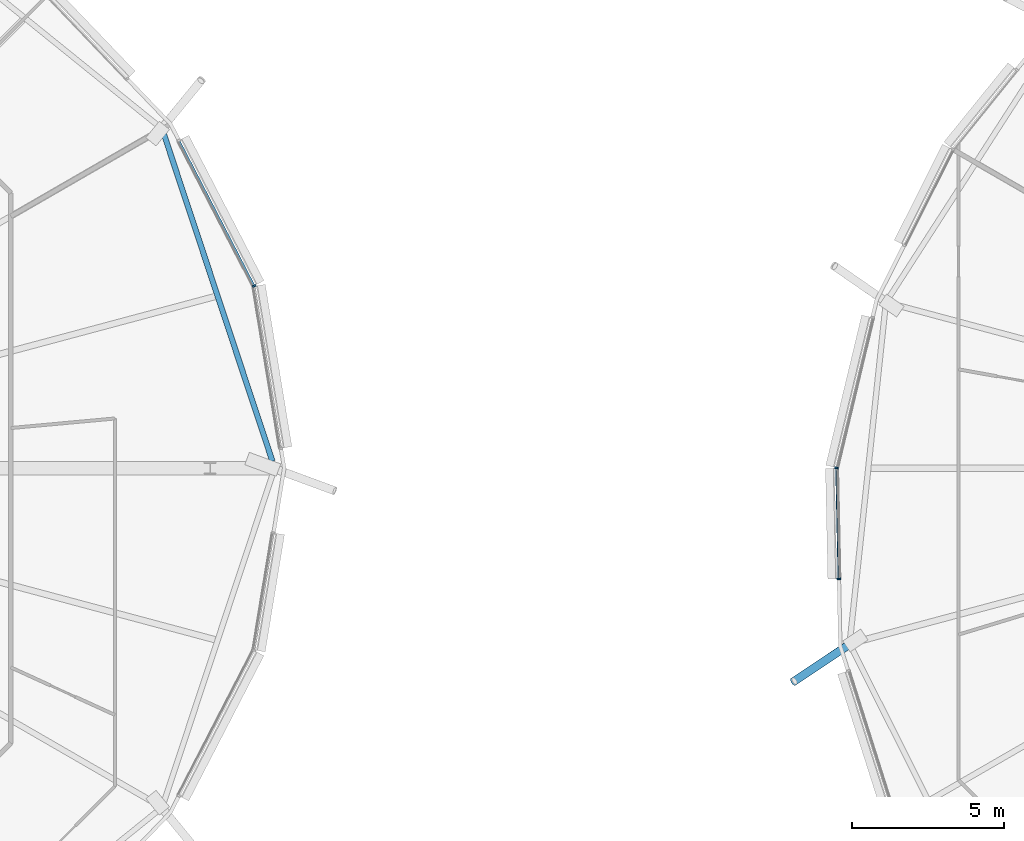
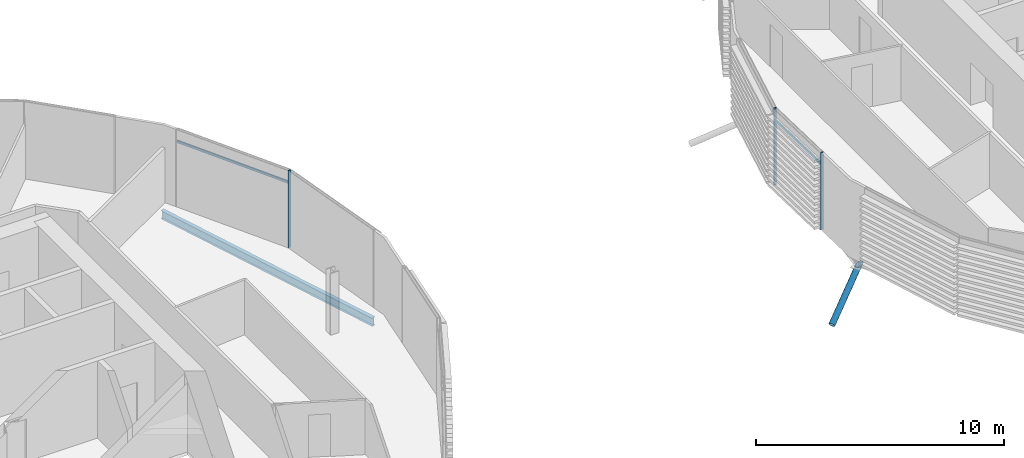
# One storey, part 8 of 38: 6 members, 1 beam, 2 elements without a shape of their own.
"""IFC4 building model written with IfcOpenShell, lengths in metres."""

import ifcopenshell
import ifcopenshell.guid

model = None  # the IFC model being written
_history = None  # IfcOwnerHistory: only IFC2X3 demands one
_inside = {}  # id of a spatial element -> (the spatial element, [elements in it])
_under = {}  # id of a project, library or spatial element -> (it, [spatial elements below it])
_declared = {}  # id of a project -> (the project, [libraries it declares])
_typed = {}  # id of a type object -> (the type object, [elements of that type])
_made_of = {}  # id of a material, layer set ... -> (it, [elements and type objects made of it])


def new_model(schema):
    """Start an empty IFC model of exactly this schema.

    Asked for "IFC4X3", IfcOpenShell would pick the latest addendum, in which some entities
    have other attributes; the version numbers below select the first issue.
    IFC2X3 requires an IfcOwnerHistory on every rooted entity: one is made here for all.
    """
    global model, _history
    if schema == "IFC4X3":
        model = ifcopenshell.file(schema_version=(4, 3, 0, 0))
    else:
        model = ifcopenshell.file(schema=schema)
    _inside.clear()
    _under.clear()
    _declared.clear()
    _typed.clear()
    _made_of.clear()
    _history = None
    if model.schema == "IFC2X3":
        org = make("IfcOrganization", Name="unknown")
        user = make(
            "IfcPersonAndOrganization",
            ThePerson=make("IfcPerson", FamilyName="unknown"),
            TheOrganization=org,
        )
        app = make(
            "IfcApplication",
            ApplicationDeveloper=org,
            Version="unknown",
            ApplicationFullName="unknown",
            ApplicationIdentifier="unknown",
        )
        _history = make(
            "IfcOwnerHistory",
            OwningUser=user,
            OwningApplication=app,
            ChangeAction="ADDED",
            CreationDate=0,
        )
    return model


def make(cls, **values):
    """One entity of the class cls with the attributes given. An attribute that is None is left unset."""
    return model.create_entity(
        cls, **{name: value for name, value in values.items() if value is not None}
    )


def rooted(cls, **values):
    """An entity with a GlobalId (a new one), such as an element, a storey or a relation."""
    return make(cls, GlobalId=ifcopenshell.guid.new(), OwnerHistory=_history, **values)


def si_unit(unit_type, name, prefix=None):
    """IfcSIUnit, for example si_unit("LENGTHUNIT", "METRE", prefix="MILLI")."""
    return make("IfcSIUnit", UnitType=unit_type, Prefix=prefix, Name=name)


def assignment(units):
    """IfcUnitAssignment: the units of a project."""
    return None if units is None else make("IfcUnitAssignment", Units=units)


def point(xyz):
    """IfcCartesianPoint."""
    return None if xyz is None else make("IfcCartesianPoint", Coordinates=xyz)


def direction(xyz):
    """IfcDirection."""
    return None if xyz is None else make("IfcDirection", DirectionRatios=xyz)


def frame(location, z_axis=None, x_axis=None):
    """IfcAxis2Placement3D, a coordinate frame: its origin and axes. An axis left out is left unset."""
    return make(
        "IfcAxis2Placement3D",
        Location=point(location),
        Axis=direction(z_axis),
        RefDirection=direction(x_axis),
    )


def frame_2d(location, x_axis=None):
    """IfcAxis2Placement2D, a coordinate frame in the plane: its origin and x axis."""
    return make(
        "IfcAxis2Placement2D", Location=point(location), RefDirection=direction(x_axis)
    )


def origin():
    """The frame at (0, 0, 0) with its axes left unset."""
    return frame((0.0, 0.0, 0.0))


def origin_2d():
    """The frame at (0, 0) in the plane with its x axis left unset."""
    return frame_2d((0.0, 0.0))


def place(relative_to, where):
    """IfcLocalPlacement: puts the frame where relative to a parent placement (None: the world)."""
    return make(
        "IfcLocalPlacement", PlacementRelTo=relative_to, RelativePlacement=where
    )


def context(
    kind, dimensions, precision=None, world=None, true_north=None, identifier=None
):
    """IfcGeometricRepresentationContext, for example the 3D "Model" context."""
    return make(
        "IfcGeometricRepresentationContext",
        ContextIdentifier=identifier,
        ContextType=kind,
        CoordinateSpaceDimension=dimensions,
        Precision=precision,
        WorldCoordinateSystem=world,
        TrueNorth=true_north,
    )


def subcontext(parent, identifier, kind, view, scale=None):
    """IfcGeometricRepresentationSubContext, for example "Body" below "Model"."""
    return make(
        "IfcGeometricRepresentationSubContext",
        ContextIdentifier=identifier,
        ContextType=kind,
        ParentContext=parent,
        TargetScale=scale,
        TargetView=view,
    )


def project(units=None, contexts=None):
    """IfcProject with its units and contexts."""
    return rooted(
        "IfcProject",
        Name="project",
        RepresentationContexts=contexts,
        UnitsInContext=assignment(units),
    )


def spatial(cls, under=None, at=None, **own):
    """A site, building, storey or space (cls), placed at a placement, below another one or the project."""
    s = rooted(cls, ObjectPlacement=at, **own)
    if under is not None:
        _under.setdefault(under.id(), (under, []))[1].append(s)
    return s


def profile(cls, at=None, kind="AREA", **sizes):
    """A parametric profile (cls). Its sizes go by their IFC names, for example OverallWidth=200.0."""
    return make(cls, ProfileType=kind, Position=at, **sizes)


def rectangle(**sizes):
    """IfcRectangleProfileDef."""
    return profile("IfcRectangleProfileDef", **sizes)


def hollow_circle(**sizes):
    """IfcCircleHollowProfileDef."""
    return profile("IfcCircleHollowProfileDef", **sizes)


def i_section(**sizes):
    """IfcIShapeProfileDef."""
    return profile("IfcIShapeProfileDef", **sizes)


def extrude(swept, where, along, depth):
    """IfcExtrudedAreaSolid: the profile swept, set in the frame where, extruded along a direction by depth."""
    return make(
        "IfcExtrudedAreaSolid",
        SweptArea=swept,
        Position=where,
        ExtrudedDirection=direction(along),
        Depth=depth,
    )


def clip(a, b, op="DIFFERENCE"):
    """IfcBooleanClippingResult: the solid a cut by the half space b."""
    return make(
        "IfcBooleanClippingResult", Operator=op, FirstOperand=a, SecondOperand=b
    )


def halfspace(plane, agree):
    """IfcHalfSpaceSolid: all space on one side of the plane z = 0 of the frame plane."""
    return make(
        "IfcHalfSpaceSolid",
        BaseSurface=make("IfcPlane", Position=plane),
        AgreementFlag=agree,
    )


def shape(context_of_items, identifier, shape_type, items):
    """IfcShapeRepresentation: the items that make up one representation, for example the "Body"."""
    return make(
        "IfcShapeRepresentation",
        ContextOfItems=context_of_items,
        RepresentationIdentifier=identifier,
        RepresentationType=shape_type,
        Items=items,
    )


def material(Name=None, Category=None):
    """IfcMaterial."""
    return make("IfcMaterial", Name=Name, Category=Category)


def material_profile(
    of_material, cross_section, Name=None, Category=None, Priority=None
):
    """IfcMaterialProfile: a cross section and its material."""
    return make(
        "IfcMaterialProfile",
        Name=Name,
        Material=of_material,
        Profile=cross_section,
        Priority=Priority,
        Category=Category,
    )


def profile_set(profiles, Name=None, composite=None):
    """IfcMaterialProfileSet."""
    return make(
        "IfcMaterialProfileSet",
        Name=Name,
        MaterialProfiles=profiles,
        CompositeProfile=composite,
    )


def made_of(thing, what):
    """Note that an element or type object is made of a material, layer set ...; save() writes the relation."""
    if what is not None:
        _made_of.setdefault(what.id(), (what, []))[1].append(thing)
    return thing


def type_object(cls, material=None, **own):
    """A type object (cls), such as IfcWallType, which elements share."""
    return made_of(rooted(cls, **own), material)


def element(
    cls,
    number,
    at=None,
    inside=None,
    cuts=None,
    type_object=None,
    material=None,
    context=None,
    identifier="Body",
    shape_type=None,
    held_by="IfcProductDefinitionShape",
    body=None,
    shapes=None,
    **own,
):
    """One element of the class cls, such as IfcWall. Its Tag is "e" and its number.

    at: its placement. inside: the storey or other place that contains it. cuts: it is an
    opening in that element (IfcRelVoidsElement). A single representation is given by context,
    identifier, shape_type and body (its items); several are given by shapes. held_by: the class
    of the entity that holds the representations. save() writes the other relations.
    """
    e = rooted(cls, Tag="e%d" % number, ObjectPlacement=at, **own)
    if body is not None:
        shapes = [shape(context, identifier, shape_type, body)]
    if shapes is not None:
        e.Representation = make(held_by, Representations=shapes)
    if inside is not None:
        _inside.setdefault(inside.id(), (inside, []))[1].append(e)
    if cuts is not None:
        rooted(
            "IfcRelVoidsElement", RelatingBuildingElement=cuts, RelatedOpeningElement=e
        )
    if type_object is not None:
        _typed.setdefault(type_object.id(), (type_object, []))[1].append(e)
    return made_of(e, material)


def aggregate(whole, parts):
    """IfcRelAggregates: a whole, such as a stair, and the parts it consists of."""
    return rooted("IfcRelAggregates", RelatingObject=whole, RelatedObjects=parts)


def save(model, path):
    """Write the relations noted so far, then the file.

    IfcRelAggregates (storeys below a building ...), IfcRelContainedInSpatialStructure (elements
    in a storey), IfcRelDefinesByType, IfcRelAssociatesMaterial and IfcRelDeclares: one each for
    every whole, place, type object, material and project.
    """
    for whole, parts in _under.values():
        aggregate(whole, parts)
    for where, things in _inside.values():
        rooted(
            "IfcRelContainedInSpatialStructure",
            RelatedElements=things,
            RelatingStructure=where,
        )
    for kind, things in _typed.values():
        rooted("IfcRelDefinesByType", RelatedObjects=things, RelatingType=kind)
    for what, things in _made_of.values():
        rooted("IfcRelAssociatesMaterial", RelatedObjects=things, RelatingMaterial=what)
    for by, libraries in _declared.values():
        rooted("IfcRelDeclares", RelatingContext=by, RelatedDefinitions=libraries)
    model.write(path)


model = new_model("IFC4")

# Units and contexts
model_context = context("Model", 3, precision=1e-05, world=origin(), true_north=direction((0.0, 1.0)))
body_context = subcontext(model_context, "Body", "Model", "MODEL_VIEW")
ifc_project = project(units=[si_unit("LENGTHUNIT", "METRE"), si_unit("AREAUNIT", "SQUARE_METRE"), si_unit("VOLUMEUNIT", "CUBIC_METRE"), si_unit("PLANEANGLEUNIT", "RADIAN"), si_unit("MASSUNIT", "GRAM", prefix="KILO")], contexts=[model_context])

# Site, building, storey
site_placement = place(None, origin())
site = spatial("IfcSite", under=ifc_project, at=site_placement, CompositionType="ELEMENT")
building_placement = place(site_placement, origin())
building = spatial("IfcBuilding", under=site, at=building_placement, Name="Rimbun Link Towers", CompositionType="ELEMENT")
storey_placement = place(building_placement, frame((0.0, 0.0, 108.199951171875)))
storey = spatial("IfcBuildingStorey", under=building, at=storey_placement, Name="L26", CompositionType="ELEMENT", Elevation=108.199951171875)

# Curtain wall, member
ifc_material_1 = material(Name="Aluminium 6063-T6 and low-iron glass", Category="aluminium")
curtain_wall_type = type_object("IfcCurtainWallType", Name="CW1-Z2 unitised vision wall (zone 2)", PredefinedType="NOTDEFINED", material=ifc_material_1)
curtain_wall_1_placement = place(storey_placement, origin())
curtain_wall_1 = element("IfcCurtainWall", 1, at=curtain_wall_1_placement, inside=storey, type_object=curtain_wall_type, Name="CW1 L26 T1", PredefinedType="NOTDEFINED")
ifc_material_2 = material(Name="Aluminium 6063-T6", Category="aluminium")
ifc_material_profile_1 = material_profile(ifc_material_2, rectangle(XDim=0.1201171875, YDim=0.06005859375, at=origin_2d()), Name="MULLION 60X120")
ifc_profile_set_1 = profile_set([ifc_material_profile_1], Name="Aluminium 6063-T6")
member_type_1 = type_object("IfcMemberType", Name="CW1 mullion 60X120", PredefinedType="MULLION", material=ifc_profile_set_1)
member_1_placement = place(storey_placement, frame((-9.39306640625, 5.994140625, 0.0), z_axis=(0.0, 0.0, 1.0), x_axis=(0.949162565402, 0.314786315522, 0.0)))
member_1 = element("IfcMember", 2, at=member_1_placement, type_object=member_type_1, Name="CW1 mullion", PredefinedType="MULLION", context=body_context, shape_type="SweptSolid", body=[
    extrude(rectangle(XDim=0.1201171875, YDim=0.06005859375, at=origin_2d()), origin(), (0.0, 0.0, 1.0), 3.800048828125),
])

# Curtain wall, members
curtain_wall_2_placement = place(storey_placement, origin())
curtain_wall_2 = element("IfcCurtainWall", 3, at=curtain_wall_2_placement, inside=storey, type_object=curtain_wall_type, Name="CW1 L26 T2", PredefinedType="NOTDEFINED")
member_2_placement = place(storey_placement, frame((9.7607421875, 0.00634765625, 0.0), z_axis=(0.0, 0.0, 1.0), x_axis=(-0.994298543645, 0.106632106355, 0.0)))
member_2 = element("IfcMember", 4, at=member_2_placement, type_object=member_type_1, Name="CW1 mullion", PredefinedType="MULLION", context=body_context, shape_type="SweptSolid", body=[
    extrude(rectangle(XDim=0.1201171875, YDim=0.06005859375, at=origin_2d()), origin(), (0.0, 0.0, 1.0), 3.800048828125),
])
member_3_placement = place(storey_placement, frame((9.837158203125, -3.644775390625, 0.0), z_axis=(0.0, 0.0, 1.0), x_axis=(-0.999778144708, -0.021063270517, 0.0)))
member_3 = element("IfcMember", 5, at=member_3_placement, type_object=member_type_1, Name="CW1 mullion", PredefinedType="MULLION", context=body_context, shape_type="SweptSolid", body=[
    extrude(rectangle(XDim=0.1201171875, YDim=0.06005859375, at=origin_2d()), origin(), (0.0, 0.0, 1.0), 3.800048828125),
])

# Member
ifc_material_3 = material(Name="Aluminium 6063-T6", Category="aluminium")
ifc_material_profile_2 = material_profile(ifc_material_3, rectangle(XDim=0.06005859375, YDim=0.1201171875, at=origin_2d()), Name="TRANSOM 60X120")
ifc_profile_set_2 = profile_set([ifc_material_profile_2], Name="Aluminium 6063-T6")
member_type_2 = type_object("IfcMemberType", Name="CW1 transom 60X120", PredefinedType="USERDEFINED", material=ifc_profile_set_2)
member_4_placement = place(storey_placement, frame((-11.857666015625, 10.755126953125, 3.199951171875), z_axis=(0.459538981862, -0.888157600963, 0.0), x_axis=(0.888157600963, 0.459538981862, 0.0)))
member_4 = element("IfcMember", 6, at=member_4_placement, type_object=member_type_2, Name="CW1 transom", ObjectType="TRANSOM", PredefinedType="USERDEFINED", context=body_context, shape_type="SweptSolid", body=[
    extrude(rectangle(XDim=0.06005859375, YDim=0.1201171875, at=origin_2d()), origin(), (0.0, 0.0, 1.0), 5.32177734375),
])

aggregate(curtain_wall_1, [member_1, member_4])

member_5_placement = place(storey_placement, frame((9.838623046875, -3.61474609375, 3.199951171875), z_axis=(-0.021115334814, 0.999777046464, 0.0), x_axis=(-0.999777046464, -0.021115334814, 0.0)))
member_5 = element("IfcMember", 7, at=member_5_placement, type_object=member_type_2, Name="CW1 transom", ObjectType="TRANSOM", PredefinedType="USERDEFINED", context=body_context, shape_type="SweptSolid", body=[
    extrude(rectangle(XDim=0.06005859375, YDim=0.1201171875, at=origin_2d()), origin(), (0.0, 0.0, 1.0), 3.584228515625),
])

aggregate(curtain_wall_2, [member_2, member_3, member_5])

ifc_material_4 = material(Name="Steel S355J2H", Category="steel")
ifc_material_profile_3 = material_profile(ifc_material_4, hollow_circle(Radius=0.136474609375, WallThickness=0.012451171875, at=origin_2d()), Name="CHS 273x12.5")
ifc_profile_set_3 = profile_set([ifc_material_profile_3], Name="Steel S355J2H")
member_type_3 = type_object("IfcMemberType", Name="Floor edge link CHS 273x12.5", PredefinedType="BRACE", material=ifc_profile_set_3)
member_6_placement = place(storey_placement, frame((10.240478515625, -5.763427734375, -0.81103515625), z_axis=(-0.720588268874, -0.480268653361, -0.500094558419), x_axis=(0.554601438501, -0.832116124356, 0.0)))
element("IfcMember", 8, at=member_6_placement, inside=storey, type_object=member_type_3, Name="Floor edge link T2 L26 10", PredefinedType="BRACE", context=body_context, shape_type="Clipping", body=[
    clip(extrude(hollow_circle(Radius=0.136474609375, WallThickness=0.012451171875, at=origin_2d()), frame((0.0, 0.0, -0.49267578125)), (0.0, 0.0, 1.0), 3.1279296875), halfspace(frame((0.0, 0.0, -0.23193359375), z_axis=(0.0, 0.865970803572, -0.500094558419)), False)),
])

# Beam
ifc_material_5 = material(Name="Steel S355J2", Category="steel")
ifc_material_profile_4 = material_profile(ifc_material_5, i_section(OverallWidth=0.177978515625, OverallDepth=0.406494140625, WebThickness=0.0078125, FlangeThickness=0.0126953125, at=origin_2d()), Name="UB 406x178x60")
ifc_profile_set_4 = profile_set([ifc_material_profile_4], Name="Steel S355J2")
beam_type = type_object("IfcBeamType", Name="UB 406x178x60", PredefinedType="BEAM", material=ifc_profile_set_4)
beam_placement = place(storey_placement, frame((-8.795654296875, 0.225830078125, -0.363037109375), z_axis=(-0.314790900129, 0.949161044921, 0.0), x_axis=(-0.949161044921, -0.314790900129, 0.0)))
element("IfcBeam", 9, at=beam_placement, inside=storey, type_object=beam_type, Name="Edge beam T1 L26 00-02", PredefinedType="BEAM", context=body_context, shape_type="SweptSolid", body=[
    extrude(i_section(OverallWidth=0.177978515625, OverallDepth=0.406494140625, WebThickness=0.0078125, FlangeThickness=0.0126953125, at=origin_2d()), origin(), (0.0, 0.0, 1.0), 11.4208984375),
])

save(model, "model.ifc")
